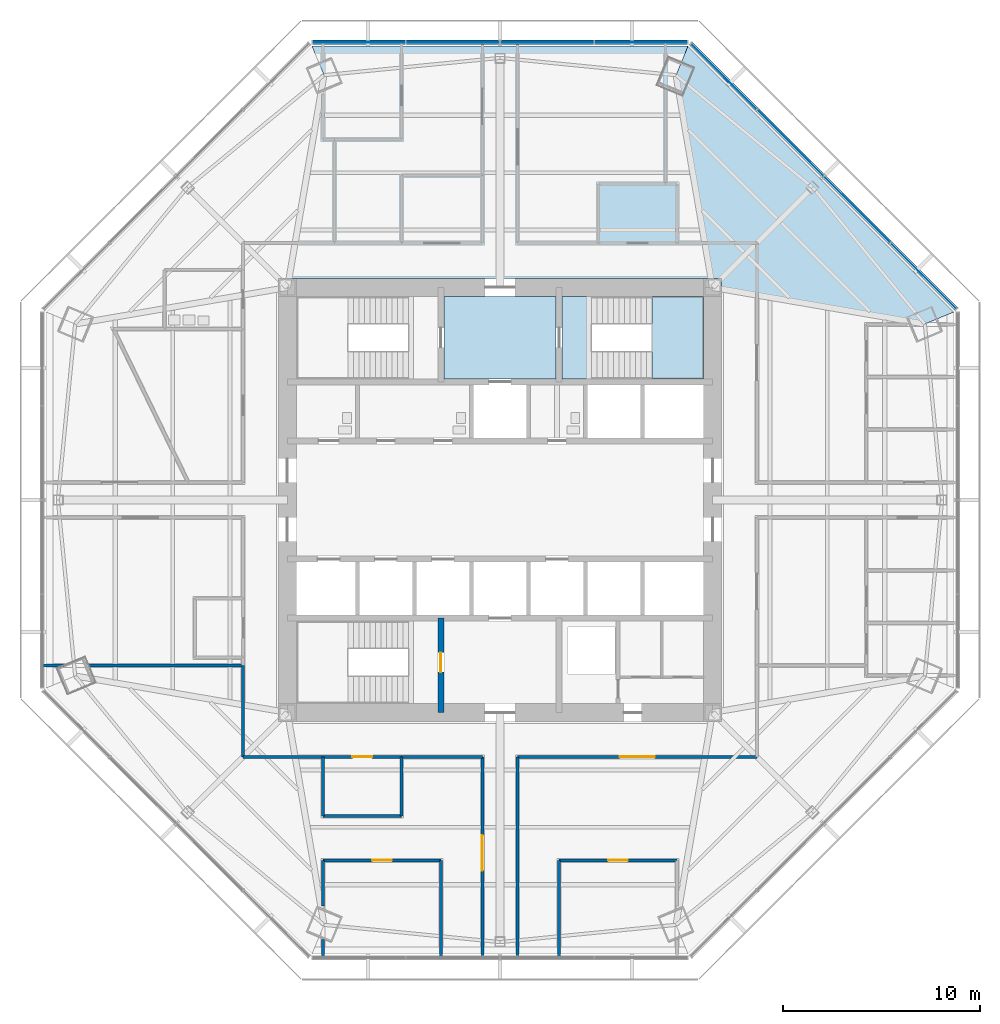
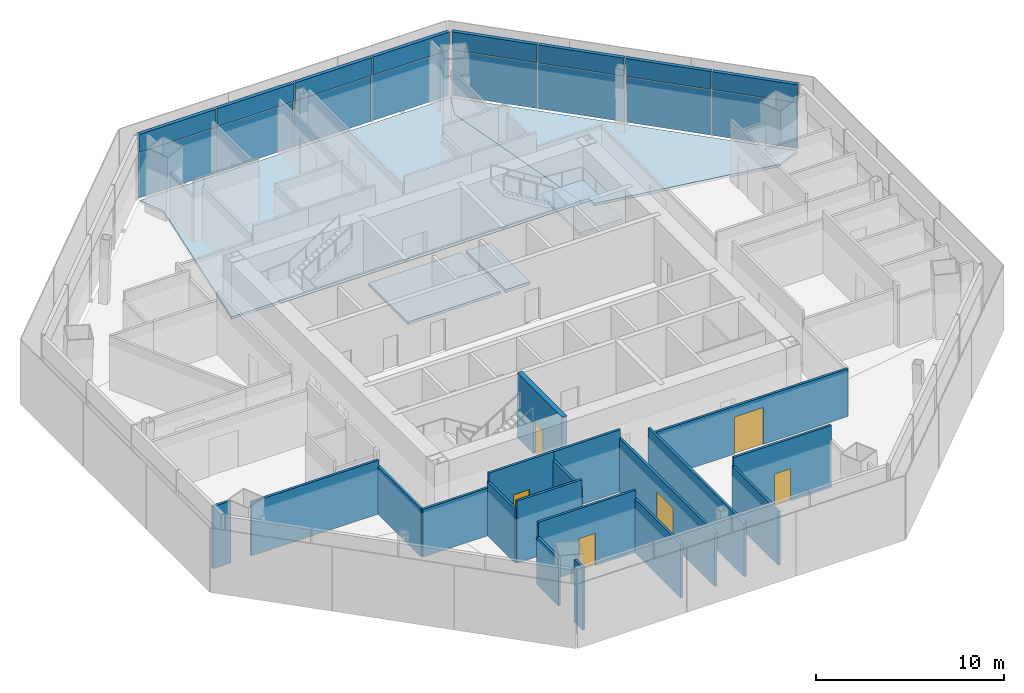
# One storey, part 8 of 15: 19 walls, 16 plates, 6 doors, 5 slabs, 6 openings, 3 elements without a shape of their own.
"""IFC4 building model written with IfcOpenShell, lengths in metres."""

from ifc_helpers import new_model, si_unit, direction, frame, frame_2d, origin, origin_2d, place, context, subcontext, project, spatial, polyline, rectangle, outline, extrude, source, transform, mapped, material, layer, layer_set, type_object, type_shapes, element, fill, aggregate, save


model = new_model("IFC4")

# Units and contexts
model_context = context("Model", 3, precision=1e-05, world=origin(), true_north=direction((0.0, 1.0)))
body_context = subcontext(model_context, "Body", "Model", "MODEL_VIEW")
ifc_project = project(units=[si_unit("LENGTHUNIT", "METRE"), si_unit("AREAUNIT", "SQUARE_METRE"), si_unit("VOLUMEUNIT", "CUBIC_METRE"), si_unit("PLANEANGLEUNIT", "RADIAN"), si_unit("MASSUNIT", "GRAM", prefix="KILO")], contexts=[model_context])

# Site, building, storey
site_placement = place(None, origin())
site = spatial("IfcSite", under=ifc_project, at=site_placement, CompositionType="ELEMENT")
building_placement = place(site_placement, origin())
building = spatial("IfcBuilding", under=site, at=building_placement, Name="Mashrafa Tower", CompositionType="ELEMENT")
storey_placement = place(building_placement, frame((0.0, 0.0, 168.0)))
storey = spatial("IfcBuildingStorey", under=building, at=storey_placement, Name="L38", CompositionType="ELEMENT", Elevation=168.0)

# Slabs
ifc_material_1 = material(Name="Concrete C35/45", Category="concrete")
ifc_layer_1 = layer(ifc_material_1, 0.1650390625)
ifc_layer_set_1 = layer_set([ifc_layer_1], Name="Floor slab 165")
slab_type_1 = type_object("IfcSlabType", Name="Floor slab 165", PredefinedType="FLOOR", material=ifc_layer_set_1)
slab_1_placement = place(storey_placement, frame((0.0, 0.0, -0.1650390625)))
element("IfcSlab", 1, at=slab_1_placement, inside=storey, type_object=slab_type_1, Name="Floor slab L38 north-east bay", PredefinedType="FLOOR", context=body_context, shape_type="SweptSolid", body=[
    extrude(outline(polyline([(9.552734375, 23.062255859375), (23.062255859375, 9.552734375), (23.062255859375, 9.552734375), (21.588623046875, 8.9423828125), (11.25, 10.722412109375), (11.25, 11.25), (10.722412109375, 11.25), (8.9423828125, 21.588623046875), (9.552734375, 23.062255859375), (9.552734375, 23.062255859375)])), origin(), (0.0, 0.0, 1.0), 0.1650390625),
])
slab_2_placement = place(storey_placement, frame((0.0, 0.0, -0.1650390625)))
element("IfcSlab", 2, at=slab_2_placement, inside=storey, type_object=slab_type_1, Name="Floor slab L38 north bay", PredefinedType="FLOOR", context=body_context, shape_type="SweptSolid", body=[
    extrude(outline(polyline([(9.552734375, 23.062255859375), (8.9423828125, 21.588623046875), (10.722412109375, 11.25), (-10.722412109375, 11.25), (-8.9423828125, 21.588623046875), (-9.552734375, 23.062255859375), (9.552734375, 23.062255859375)])), origin(), (0.0, 0.0, 1.0), 0.1650390625),
])
slab_3_placement = place(storey_placement, frame((0.0, 0.0, -0.1650390625)))
element("IfcSlab", 3, at=slab_3_placement, inside=storey, type_object=slab_type_1, Name="Core floor fire-fighting lobby north L38", PredefinedType="FLOOR", context=body_context, shape_type="SweptSolid", body=[
    extrude(outline(polyline([(-2.85009765625, 10.35009765625), (2.85009765625, 10.35009765625), (2.85009765625, 6.14990234375), (-2.85009765625, 6.14990234375), (-2.85009765625, 10.35009765625)])), origin(), (0.0, 0.0, 1.0), 0.1650390625),
])

# Stair, slabs
ifc_material_2 = material(Name="Exit stair 1400")
stair_type = type_object("IfcStairType", Name="Exit stair 1400", PredefinedType="HALF_TURN_STAIR", material=ifc_material_2)
stair_placement = place(storey_placement, origin())
stair = element("IfcStair", 4, at=stair_placement, inside=storey, type_object=stair_type, Name="Stair S2 L38", PredefinedType="HALF_TURN_STAIR")
ifc_material_3 = material(Name="Concrete C32/40", Category="concrete")
ifc_layer_2 = layer(ifc_material_3, 0.199951171875)
ifc_layer_set_2 = layer_set([ifc_layer_2], Name="Stair landing 200")
slab_type_2 = type_object("IfcSlabType", Name="Stair landing 200", PredefinedType="LANDING", material=ifc_layer_set_2)
slab_4_placement = place(storey_placement, frame((0.0, 0.0, -0.199951171875)))
slab_4 = element("IfcSlab", 5, at=slab_4_placement, type_object=slab_type_2, Name="S2 landing 1", PredefinedType="LANDING", context=body_context, shape_type="SweptSolid", body=[
    extrude(outline(polyline([(3.14990234375, 6.14990234375), (4.659912109375, 6.14990234375), (4.659912109375, 10.35009765625), (3.14990234375, 10.35009765625), (3.14990234375, 6.14990234375)])), origin(), (0.0, 0.0, 1.0), 0.199951171875),
])
slab_5_placement = place(storey_placement, frame((0.0, 0.0, 1.89990234375)))
slab_5 = element("IfcSlab", 6, at=slab_5_placement, type_object=slab_type_2, Name="S2 landing 2", PredefinedType="LANDING", context=body_context, shape_type="SweptSolid", body=[
    extrude(outline(polyline([(7.719970703125, 6.14990234375), (10.35009765625, 6.14990234375), (10.35009765625, 10.35009765625), (7.719970703125, 10.35009765625), (7.719970703125, 6.14990234375)])), origin(), (0.0, 0.0, 1.0), 0.2001953125),
])
aggregate(stair, [slab_4, slab_5])

# Curtain wall, plates
ifc_material_4 = material(Name="Unitised aluminium curtain wall", Category="aluminium")
curtain_wall_type = type_object("IfcCurtainWallType", Name="Office curtain wall, zone 2 CW-B 225 deep", PredefinedType="NOTDEFINED", material=ifc_material_4)
curtain_wall_1_placement = place(storey_placement, origin())
curtain_wall_1 = element("IfcCurtainWall", 7, at=curtain_wall_1_placement, inside=storey, type_object=curtain_wall_type, Name="Office curtain wall, zone 2 L38 north-east", PredefinedType="NOTDEFINED")
ifc_material_5 = material(Name="Insulated double glazing, low-e, neutral", Category="glass")
ifc_layer_3 = layer(ifc_material_5, 0.028076171875)
ifc_layer_set_3 = layer_set([ifc_layer_3], Name="Vision panel CW-B 28")
plate_type_1 = type_object("IfcPlateType", Name="Vision panel CW-B 28", PredefinedType="CURTAIN_PANEL", material=ifc_layer_set_3)
shared_shape_1 = source(origin(), body_context, "Body", "SweptSolid", [
    extrude(rectangle(XDim=4.69189453125, YDim=0.028076171875, at=origin_2d()), origin(), (0.0, 0.0, 1.0), 2.9599609375),
])
plate_1_placement = place(storey_placement, frame((21.517333984375, 11.38037109375, 0.0), z_axis=(0.0, 0.0, 1.0), x_axis=(-0.707106781187, 0.707106781187, 0.0)))
plate_1 = element("IfcPlate", 8, at=plate_1_placement, type_object=plate_type_1, Name="CW-B vision panel 1", PredefinedType="CURTAIN_PANEL", context=body_context, shape_type="MappedRepresentation", body=[
    mapped(shared_shape_1, transform((0.0, 0.0, 0.0))),
])
plate_2_placement = place(storey_placement, frame((11.38037109375, 21.517333984375, 0.0), z_axis=(0.0, 0.0, 1.0), x_axis=(-0.707106781187, 0.707106781187, 0.0)))
plate_2 = element("IfcPlate", 9, at=plate_2_placement, type_object=plate_type_1, Name="CW-B vision panel 4", PredefinedType="CURTAIN_PANEL", context=body_context, shape_type="MappedRepresentation", body=[
    mapped(shared_shape_1, transform((0.0, 0.0, 0.0))),
])

curtain_wall_2_placement = place(storey_placement, origin())
curtain_wall_2 = element("IfcCurtainWall", 10, at=curtain_wall_2_placement, inside=storey, type_object=curtain_wall_type, Name="Office curtain wall, zone 2 L38 north", PredefinedType="NOTDEFINED")
plate_3_placement = place(storey_placement, frame((7.16796875, 23.26220703125, 0.0), z_axis=(0.0, 0.0, 1.0), x_axis=(-1.0, 0.0, 0.0)))
plate_3 = element("IfcPlate", 11, at=plate_3_placement, type_object=plate_type_1, Name="CW-B vision panel 1", PredefinedType="CURTAIN_PANEL", context=body_context, shape_type="MappedRepresentation", body=[
    mapped(shared_shape_1, transform((0.0, 0.0, 0.0))),
])
plate_4_placement = place(storey_placement, frame((-7.16796875, 23.26220703125, 0.0), z_axis=(0.0, 0.0, 1.0), x_axis=(-1.0, 0.0, 0.0)))
plate_4 = element("IfcPlate", 12, at=plate_4_placement, type_object=plate_type_1, Name="CW-B vision panel 4", PredefinedType="CURTAIN_PANEL", context=body_context, shape_type="MappedRepresentation", body=[
    mapped(shared_shape_1, transform((0.0, 0.0, 0.0))),
])

# Plate
ifc_material_6 = material(Name="Insulated aluminium spandrel panel", Category="aluminium")
ifc_layer_4 = layer(ifc_material_6, 0.219970703125)
ifc_layer_set_4 = layer_set([ifc_layer_4], Name="Spandrel panel CW-B 220")
plate_type_2 = type_object("IfcPlateType", Name="Spandrel panel CW-B 220", PredefinedType="CURTAIN_PANEL", material=ifc_layer_set_4)
shared_shape_2 = source(origin(), body_context, "Body", "SweptSolid", [
    extrude(rectangle(XDim=4.69189453125, YDim=0.219970703125, at=origin_2d()), origin(), (0.0, 0.0, 1.0), 1.159912109375),
])
plate_5_placement = place(storey_placement, frame((21.517333984375, 11.38037109375, 3.0400390625), z_axis=(0.0, 0.0, 1.0), x_axis=(-0.707106781187, 0.707106781187, 0.0)))
plate_5 = element("IfcPlate", 13, at=plate_5_placement, type_object=plate_type_2, Name="CW-B spandrel panel 1", PredefinedType="CURTAIN_PANEL", context=body_context, shape_type="MappedRepresentation", body=[
    mapped(shared_shape_2, transform((0.0, 0.0, 0.0))),
])

plate_6_placement = place(storey_placement, frame((11.38037109375, 21.517333984375, 3.0400390625), z_axis=(0.0, 0.0, 1.0), x_axis=(-0.707106781187, 0.707106781187, 0.0)))
plate_6 = element("IfcPlate", 14, at=plate_6_placement, type_object=plate_type_2, Name="CW-B spandrel panel 4", PredefinedType="CURTAIN_PANEL", context=body_context, shape_type="MappedRepresentation", body=[
    mapped(shared_shape_2, transform((0.0, 0.0, 0.0))),
])

plate_7_placement = place(storey_placement, frame((7.16796875, 23.26220703125, 3.0400390625), z_axis=(0.0, 0.0, 1.0), x_axis=(-1.0, 0.0, 0.0)))
plate_7 = element("IfcPlate", 15, at=plate_7_placement, type_object=plate_type_2, Name="CW-B spandrel panel 1", PredefinedType="CURTAIN_PANEL", context=body_context, shape_type="MappedRepresentation", body=[
    mapped(shared_shape_2, transform((0.0, 0.0, 0.0))),
])

plate_8_placement = place(storey_placement, frame((-7.16796875, 23.26220703125, 3.0400390625), z_axis=(0.0, 0.0, 1.0), x_axis=(-1.0, 0.0, 0.0)))
plate_8 = element("IfcPlate", 16, at=plate_8_placement, type_object=plate_type_2, Name="CW-B spandrel panel 4", PredefinedType="CURTAIN_PANEL", context=body_context, shape_type="MappedRepresentation", body=[
    mapped(shared_shape_2, transform((0.0, 0.0, 0.0))),
])

shared_shape_3 = source(origin(), body_context, "Body", "SweptSolid", [
    extrude(rectangle(XDim=4.724365234375, YDim=0.028076171875, at=origin_2d()), origin(), (0.0, 0.0, 1.0), 2.9599609375),
])
type_shapes(plate_type_1, [shared_shape_1, shared_shape_3])
plate_9_placement = place(storey_placement, frame((18.142333984375, 14.755615234375, 0.0), z_axis=(0.0, 0.0, 1.0), x_axis=(-0.707106781187, 0.707106781187, 0.0)))
plate_9 = element("IfcPlate", 17, at=plate_9_placement, type_object=plate_type_1, Name="CW-B vision panel 2", PredefinedType="CURTAIN_PANEL", context=body_context, shape_type="MappedRepresentation", body=[
    mapped(shared_shape_3, transform((0.0, 0.0, 0.0))),
])

plate_10_placement = place(storey_placement, frame((14.755615234375, 18.142333984375, 0.0), z_axis=(0.0, 0.0, 1.0), x_axis=(-0.707106781187, 0.707106781187, 0.0)))
plate_10 = element("IfcPlate", 18, at=plate_10_placement, type_object=plate_type_1, Name="CW-B vision panel 3", PredefinedType="CURTAIN_PANEL", context=body_context, shape_type="MappedRepresentation", body=[
    mapped(shared_shape_3, transform((0.0, 0.0, 0.0))),
])

plate_11_placement = place(storey_placement, frame((2.394775390625, 23.26220703125, 0.0), z_axis=(0.0, 0.0, 1.0), x_axis=(-1.0, 0.0, 0.0)))
plate_11 = element("IfcPlate", 19, at=plate_11_placement, type_object=plate_type_1, Name="CW-B vision panel 2", PredefinedType="CURTAIN_PANEL", context=body_context, shape_type="MappedRepresentation", body=[
    mapped(shared_shape_3, transform((0.0, 0.0, 0.0))),
])

plate_12_placement = place(storey_placement, frame((-2.394775390625, 23.26220703125, 0.0), z_axis=(0.0, 0.0, 1.0), x_axis=(-1.0, 0.0, 0.0)))
plate_12 = element("IfcPlate", 20, at=plate_12_placement, type_object=plate_type_1, Name="CW-B vision panel 3", PredefinedType="CURTAIN_PANEL", context=body_context, shape_type="MappedRepresentation", body=[
    mapped(shared_shape_3, transform((0.0, 0.0, 0.0))),
])

shared_shape_4 = source(origin(), body_context, "Body", "SweptSolid", [
    extrude(rectangle(XDim=4.724365234375, YDim=0.219970703125, at=origin_2d()), origin(), (0.0, 0.0, 1.0), 1.159912109375),
])
type_shapes(plate_type_2, [shared_shape_2, shared_shape_4])
plate_13_placement = place(storey_placement, frame((18.142333984375, 14.755615234375, 3.0400390625), z_axis=(0.0, 0.0, 1.0), x_axis=(-0.707106781187, 0.707106781187, 0.0)))
plate_13 = element("IfcPlate", 21, at=plate_13_placement, type_object=plate_type_2, Name="CW-B spandrel panel 2", PredefinedType="CURTAIN_PANEL", context=body_context, shape_type="MappedRepresentation", body=[
    mapped(shared_shape_4, transform((0.0, 0.0, 0.0))),
])

plate_14_placement = place(storey_placement, frame((14.755615234375, 18.142333984375, 3.0400390625), z_axis=(0.0, 0.0, 1.0), x_axis=(-0.707106781187, 0.707106781187, 0.0)))
plate_14 = element("IfcPlate", 22, at=plate_14_placement, type_object=plate_type_2, Name="CW-B spandrel panel 3", PredefinedType="CURTAIN_PANEL", context=body_context, shape_type="MappedRepresentation", body=[
    mapped(shared_shape_4, transform((0.0, 0.0, 0.0))),
])

aggregate(curtain_wall_1, [plate_1, plate_5, plate_9, plate_13, plate_10, plate_14, plate_2, plate_6])

plate_15_placement = place(storey_placement, frame((2.394775390625, 23.26220703125, 3.0400390625), z_axis=(0.0, 0.0, 1.0), x_axis=(-1.0, 0.0, 0.0)))
plate_15 = element("IfcPlate", 23, at=plate_15_placement, type_object=plate_type_2, Name="CW-B spandrel panel 2", PredefinedType="CURTAIN_PANEL", context=body_context, shape_type="MappedRepresentation", body=[
    mapped(shared_shape_4, transform((0.0, 0.0, 0.0))),
])

plate_16_placement = place(storey_placement, frame((-2.394775390625, 23.26220703125, 3.0400390625), z_axis=(0.0, 0.0, 1.0), x_axis=(-1.0, 0.0, 0.0)))
plate_16 = element("IfcPlate", 24, at=plate_16_placement, type_object=plate_type_2, Name="CW-B spandrel panel 3", PredefinedType="CURTAIN_PANEL", context=body_context, shape_type="MappedRepresentation", body=[
    mapped(shared_shape_4, transform((0.0, 0.0, 0.0))),
])

aggregate(curtain_wall_2, [plate_3, plate_7, plate_11, plate_15, plate_12, plate_16, plate_4, plate_8])

# Wall, opening, door
ifc_material_7 = material(Name="Concrete C60/75", Category="concrete")
ifc_layer_5 = layer(ifc_material_7, 0.300048828125)
ifc_layer_set_5 = layer_set([ifc_layer_5], Name="Core wall 300 C60/75")
wall_type_1 = type_object("IfcWallType", Name="Core wall 300 C60/75", PredefinedType="SOLIDWALL", material=ifc_layer_set_5)
wall_1_placement = place(storey_placement, frame((-3.0, -6.0, 0.0), z_axis=(0.0, 0.0, 1.0), x_axis=(0.0, -1.0, 0.0)))
wall_1 = element("IfcWall", 25, at=wall_1_placement, inside=storey, type_object=wall_type_1, Name="Core wall CX-SW L38", PredefinedType="SOLIDWALL", context=body_context, shape_type="SweptSolid", body=[
    extrude(rectangle(XDim=4.800048828125, YDim=0.300048828125, at=frame_2d((2.39990234375, 0.0))), origin(), (0.0, 0.0, 1.0), 4.199951171875),
])
opening_1_placement = place(wall_1_placement, frame((1.75, 0.0, 0.0)))
opening_1 = element("IfcOpeningElement", 26, at=opening_1_placement, cuts=wall_1, Name="Opening 38.032", PredefinedType="OPENING", context=body_context, shape_type="SweptSolid", body=[
    extrude(rectangle(XDim=1.0, YDim=2.10009765625, at=frame_2d((0.5, 1.050048828125))), frame((0.0, 0.159912109375, 0.0), z_axis=(0.0, -1.0, 0.0), x_axis=(1.0, 0.0, 0.0)), (0.0, 0.0, 1.0), 0.320068359375),
])
ifc_material_8 = material(Name="Steel door", Category="steel")
door_type_1 = type_object("IfcDoorType", Name="Stair door 1000 x 2100 90 min", OperationType="USERDEFINED", PredefinedType="DOOR", material=ifc_material_8)
door_1_placement = place(opening_1_placement, frame((1.0, 0.0, 0.0), z_axis=(0.0, 0.0, 1.0), x_axis=(-1.0, 0.0, 0.0)))
door_1 = element("IfcDoor", 27, at=door_1_placement, inside=storey, type_object=door_type_1, Name="Stair S3 door L38", OperationType="SINGLE_SWING_RIGHT", OverallHeight=2.10009765625, OverallWidth=1.0, PredefinedType="DOOR", context=body_context, shape_type="SweptSolid", body=[
    extrude(rectangle(XDim=1.0, YDim=2.10009765625, at=frame_2d((0.5, 1.050048828125))), frame((0.0, 0.02490234375, 0.0), z_axis=(0.0, -1.0, 0.0), x_axis=(1.0, 0.0, 0.0)), (0.0, 0.0, 1.0), 0.050048828125),
])
fill(opening_1, door_1)

ifc_material_9 = material(Name="Gypsum board on steel studs", Category="steel")
ifc_layer_6 = layer(ifc_material_9, 0.14990234375)
ifc_layer_set_6 = layer_set([ifc_layer_6], Name="Corridor partition 150 1 hr")
wall_type_2 = type_object("IfcWallType", Name="Corridor partition 150 1 hr", PredefinedType="PARTITIONING", material=ifc_layer_set_6)
wall_2_placement = place(storey_placement, frame((-9.0009765625, -13.050048828125, 0.0), z_axis=(0.0, 0.0, 1.0), x_axis=(1.0, 0.0, 0.0)))
wall_2 = element("IfcWall", 28, at=wall_2_placement, inside=storey, type_object=wall_type_2, Name="Corridor wall L38-007", PredefinedType="PARTITIONING", context=body_context, shape_type="SweptSolid", body=[
    extrude(rectangle(XDim=4.001953125, YDim=0.14990234375, at=frame_2d((2.0009765625, 0.0))), origin(), (0.0, 0.0, 1.0), 4.034912109375),
])
opening_2_placement = place(wall_2_placement, frame((1.5009765625, 0.0, 0.0)))
opening_2 = element("IfcOpeningElement", 29, at=opening_2_placement, cuts=wall_2, Name="Opening 38.006", PredefinedType="OPENING", context=body_context, shape_type="SweptSolid", body=[
    extrude(rectangle(XDim=1.0, YDim=2.10009765625, at=frame_2d((0.5, 1.050048828125))), frame((0.0, 0.0849609375, 0.0), z_axis=(0.0, -1.0, 0.0), x_axis=(1.0, 0.0, 0.0)), (0.0, 0.0, 1.0), 0.169921875),
])
ifc_material_10 = material(Name="Timber door", Category="wood")
door_type_2 = type_object("IfcDoorType", Name="Door 1000 x 2100", OperationType="USERDEFINED", PredefinedType="DOOR", material=ifc_material_10)
door_2_placement = place(opening_2_placement, frame((1.0, 0.0, 0.0), z_axis=(0.0, 0.0, 1.0), x_axis=(-1.0, 0.0, 0.0)))
door_2 = element("IfcDoor", 30, at=door_2_placement, inside=storey, type_object=door_type_2, Name="Pantry 38-2 door", OperationType="SINGLE_SWING_RIGHT", OverallHeight=2.10009765625, OverallWidth=1.0, PredefinedType="DOOR", context=body_context, shape_type="SweptSolid", body=[
    extrude(rectangle(XDim=1.0, YDim=2.10009765625, at=frame_2d((0.5, 1.050048828125))), frame((0.0, 0.02490234375, 0.0), z_axis=(0.0, -1.0, 0.0), x_axis=(1.0, 0.0, 0.0)), (0.0, 0.0, 1.0), 0.050048828125),
])
fill(opening_2, door_2)

# Walls
wall_3_placement = place(storey_placement, frame((-13.050048828125, -8.39892578125, 0.0), z_axis=(0.0, 0.0, 1.0), x_axis=(0.0, -1.0, 0.0)))
element("IfcWall", 31, at=wall_3_placement, inside=storey, type_object=wall_type_2, Name="Corridor wall L38-021", PredefinedType="PARTITIONING", context=body_context, shape_type="SweptSolid", body=[
    extrude(rectangle(XDim=4.651123046875, YDim=0.14990234375, at=frame_2d((2.32568359375, 0.0))), origin(), (0.0, 0.0, 1.0), 3.097900390625),
])
wall_4_placement = place(storey_placement, frame((-13.050048828125, -13.050048828125, 0.0), z_axis=(0.0, 0.0, 1.0), x_axis=(1.0, 0.0, 0.0)))
element("IfcWall", 32, at=wall_4_placement, inside=storey, type_object=wall_type_2, Name="Corridor wall L38-022", PredefinedType="PARTITIONING", context=body_context, shape_type="SweptSolid", body=[
    extrude(rectangle(XDim=4.051025390625, YDim=0.14990234375, at=frame_2d((2.025390625, 0.0))), origin(), (0.0, 0.0, 1.0), 3.097900390625),
])
wall_5_placement = place(storey_placement, frame((-5.0009765625, -13.050048828125, 0.0), z_axis=(0.0, 0.0, 1.0), x_axis=(1.0, 0.0, 0.0)))
element("IfcWall", 33, at=wall_5_placement, inside=storey, type_object=wall_type_2, Name="Corridor wall L38-023", PredefinedType="PARTITIONING", context=body_context, shape_type="SweptSolid", body=[
    extrude(rectangle(XDim=4.10107421875, YDim=0.14990234375, at=frame_2d((2.050537109375, 0.0))), origin(), (0.0, 0.0, 1.0), 4.034912109375),
])

# Wall, opening, door
wall_6_placement = place(storey_placement, frame((-0.89990234375, -13.050048828125, 0.0), z_axis=(0.0, 0.0, 1.0), x_axis=(0.0, -1.0, 0.0)))
wall_6 = element("IfcWall", 34, at=wall_6_placement, inside=storey, type_object=wall_type_2, Name="Corridor wall L38-024", PredefinedType="PARTITIONING", context=body_context, shape_type="SweptSolid", body=[
    extrude(rectangle(XDim=10.196044921875, YDim=0.14990234375, at=frame_2d((5.09814453125, 0.0))), origin(), (0.0, 0.0, 1.0), 3.49169921875),
])
opening_3_placement = place(wall_6_placement, frame((3.981201171875, 0.0, 0.0)))
opening_3 = element("IfcOpeningElement", 35, at=opening_3_placement, cuts=wall_6, Name="Opening 38.020", PredefinedType="OPENING", context=body_context, shape_type="SweptSolid", body=[
    extrude(rectangle(XDim=1.800048828125, YDim=2.39990234375, at=frame_2d((0.89990234375, 1.199951171875))), frame((0.0, 0.0849609375, 0.0), z_axis=(0.0, -1.0, 0.0), x_axis=(1.0, 0.0, 0.0)), (0.0, 0.0, 1.0), 0.169921875),
])
ifc_material_11 = material(Name="Timber door", Category="wood")
door_type_3 = type_object("IfcDoorType", Name="Door pair 1800 x 2400", OperationType="DOUBLE_DOOR_SINGLE_SWING", PredefinedType="DOOR", material=ifc_material_11)
door_3_placement = place(opening_3_placement, frame((1.800048828125, 0.0, 0.0), z_axis=(0.0, 0.0, 1.0), x_axis=(-1.0, 0.0, 0.0)))
door_3 = element("IfcDoor", 36, at=door_3_placement, inside=storey, type_object=door_type_3, Name="Office Tenancy 38-2-SW1 door", OperationType="DOUBLE_DOOR_SINGLE_SWING", OverallHeight=2.39990234375, OverallWidth=1.800048828125, PredefinedType="DOOR", context=body_context, shape_type="SweptSolid", body=[
    extrude(rectangle(XDim=1.800048828125, YDim=2.39990234375, at=frame_2d((0.89990234375, 1.199951171875))), frame((0.0, 0.02490234375, 0.0), z_axis=(0.0, -1.0, 0.0), x_axis=(1.0, 0.0, 0.0)), (0.0, 0.0, 1.0), 0.050048828125),
])
fill(opening_3, door_3)

# Wall
wall_7_placement = place(storey_placement, frame((0.89990234375, -23.244140625, 0.0), z_axis=(0.0, 0.0, 1.0), x_axis=(0.0, 1.0, 0.0)))
element("IfcWall", 37, at=wall_7_placement, inside=storey, type_object=wall_type_2, Name="Corridor wall L38-028", PredefinedType="PARTITIONING", context=body_context, shape_type="SweptSolid", body=[
    extrude(rectangle(XDim=10.194091796875, YDim=0.14990234375, at=frame_2d((5.09716796875, 0.0))), origin(), (0.0, 0.0, 1.0), 3.49169921875),
])

# Wall, opening, door
wall_8_placement = place(storey_placement, frame((0.89990234375, -13.050048828125, 0.0), z_axis=(0.0, 0.0, 1.0), x_axis=(1.0, 0.0, 0.0)))
wall_8 = element("IfcWall", 38, at=wall_8_placement, inside=storey, type_object=wall_type_2, Name="Corridor wall L38-029", PredefinedType="PARTITIONING", context=body_context, shape_type="SweptSolid", body=[
    extrude(rectangle(XDim=12.150146484375, YDim=0.14990234375, at=frame_2d((6.0751953125, 0.0))), origin(), (0.0, 0.0, 1.0), 3.097900390625),
])
opening_4_placement = place(wall_8_placement, frame((5.175048828125, 0.0, 0.0)))
opening_4 = element("IfcOpeningElement", 39, at=opening_4_placement, cuts=wall_8, Name="Opening 38.022", PredefinedType="OPENING", context=body_context, shape_type="SweptSolid", body=[
    extrude(rectangle(XDim=1.800048828125, YDim=2.39990234375, at=frame_2d((0.89990234375, 1.199951171875))), frame((0.0, 0.0849609375, 0.0), z_axis=(0.0, -1.0, 0.0), x_axis=(1.0, 0.0, 0.0)), (0.0, 0.0, 1.0), 0.169921875),
])
door_4_placement = place(opening_4_placement, frame((1.800048828125, 0.0, 0.0), z_axis=(0.0, 0.0, 1.0), x_axis=(-1.0, 0.0, 0.0)))
door_4 = element("IfcDoor", 40, at=door_4_placement, inside=storey, type_object=door_type_3, Name="Office Tenancy 38-1-SE1 door", OperationType="DOUBLE_DOOR_SINGLE_SWING", OverallHeight=2.39990234375, OverallWidth=1.800048828125, PredefinedType="DOOR", context=body_context, shape_type="SweptSolid", body=[
    extrude(rectangle(XDim=1.800048828125, YDim=2.39990234375, at=frame_2d((0.89990234375, 1.199951171875))), frame((0.0, 0.02490234375, 0.0), z_axis=(0.0, -1.0, 0.0), x_axis=(1.0, 0.0, 0.0)), (0.0, 0.0, 1.0), 0.050048828125),
])
fill(opening_4, door_4)

# Walls
ifc_material_12 = material(Name="Gypsum board on steel studs", Category="steel")
ifc_layer_7 = layer(ifc_material_12, 0.14990234375)
ifc_layer_set_7 = layer_set([ifc_layer_7], Name="Partition 150")
wall_type_3 = type_object("IfcWallType", Name="Partition 150", PredefinedType="PARTITIONING", material=ifc_layer_set_7)
wall_9_placement = place(storey_placement, frame((-9.0, -13.050048828125, 0.0), z_axis=(0.0, 0.0, 1.0), x_axis=(0.0, -1.0, 0.0)))
element("IfcWall", 41, at=wall_9_placement, inside=storey, type_object=wall_type_3, Name="Partition wall L38-049", PredefinedType="PARTITIONING", context=body_context, shape_type="SweptSolid", body=[
    extrude(rectangle(XDim=3.0, YDim=0.14990234375, at=frame_2d((1.5, 0.0))), origin(), (0.0, 0.0, 1.0), 3.49169921875),
])
wall_10_placement = place(storey_placement, frame((-9.0, -16.050048828125, 0.0), z_axis=(0.0, 0.0, 1.0), x_axis=(1.0, 0.0, 0.0)))
element("IfcWall", 42, at=wall_10_placement, inside=storey, type_object=wall_type_3, Name="Partition wall L38-050", PredefinedType="PARTITIONING", context=body_context, shape_type="SweptSolid", body=[
    extrude(rectangle(XDim=4.0, YDim=0.14990234375, at=frame_2d((2.0, 0.0))), origin(), (0.0, 0.0, 1.0), 4.034912109375),
])
wall_11_placement = place(storey_placement, frame((-5.0, -16.050048828125, 0.0), z_axis=(0.0, 0.0, 1.0), x_axis=(0.0, 1.0, 0.0)))
element("IfcWall", 43, at=wall_11_placement, inside=storey, type_object=wall_type_3, Name="Partition wall L38-051", PredefinedType="PARTITIONING", context=body_context, shape_type="SweptSolid", body=[
    extrude(rectangle(XDim=3.0, YDim=0.14990234375, at=frame_2d((1.5, 0.0))), origin(), (0.0, 0.0, 1.0), 3.49169921875),
])
wall_12_placement = place(storey_placement, frame((-3.0, -23.244140625, 0.0), z_axis=(0.0, 0.0, 1.0), x_axis=(0.0, 1.0, 0.0)))
element("IfcWall", 44, at=wall_12_placement, inside=storey, type_object=wall_type_3, Name="Partition wall L38-070", PredefinedType="PARTITIONING", context=body_context, shape_type="SweptSolid", body=[
    extrude(rectangle(XDim=4.931884765625, YDim=0.14990234375, at=frame_2d((2.4658203125, 0.0))), origin(), (0.0, 0.0, 1.0), 3.49169921875),
])

# Wall, opening, door
wall_13_placement = place(storey_placement, frame((-3.0, -18.312255859375, 0.0), z_axis=(0.0, 0.0, 1.0), x_axis=(-1.0, 0.0, 0.0)))
wall_13 = element("IfcWall", 45, at=wall_13_placement, inside=storey, type_object=wall_type_3, Name="Partition wall L38-071", PredefinedType="PARTITIONING", context=body_context, shape_type="SweptSolid", body=[
    extrude(rectangle(XDim=6.0, YDim=0.14990234375, at=frame_2d((3.0, 0.0))), origin(), (0.0, 0.0, 1.0), 4.034912109375),
])
opening_5_placement = place(wall_13_placement, frame((2.5, 0.0, 0.0)))
opening_5 = element("IfcOpeningElement", 46, at=opening_5_placement, cuts=wall_13, Name="Opening 38.014", PredefinedType="OPENING", context=body_context, shape_type="SweptSolid", body=[
    extrude(rectangle(XDim=1.0, YDim=2.10009765625, at=frame_2d((0.5, 1.050048828125))), frame((0.0, 0.0849609375, 0.0), z_axis=(0.0, -1.0, 0.0), x_axis=(1.0, 0.0, 0.0)), (0.0, 0.0, 1.0), 0.169921875),
])
door_5_placement = place(opening_5_placement, origin())
door_5 = element("IfcDoor", 47, at=door_5_placement, inside=storey, type_object=door_type_2, Name="Meeting Room 38-2-SW1 door", OperationType="SINGLE_SWING_LEFT", OverallHeight=2.10009765625, OverallWidth=1.0, PredefinedType="DOOR", context=body_context, shape_type="SweptSolid", body=[
    extrude(rectangle(XDim=1.0, YDim=2.10009765625, at=frame_2d((0.5, 1.050048828125))), frame((0.0, 0.02490234375, 0.0), z_axis=(0.0, -1.0, 0.0), x_axis=(1.0, 0.0, 0.0)), (0.0, 0.0, 1.0), 0.050048828125),
])
fill(opening_5, door_5)

# Walls
wall_14_placement = place(storey_placement, frame((-9.0, -18.312255859375, 0.0), z_axis=(0.0, 0.0, 1.0), x_axis=(0.0, -1.0, 0.0)))
element("IfcWall", 48, at=wall_14_placement, inside=storey, type_object=wall_type_3, Name="Partition wall L38-072", PredefinedType="PARTITIONING", context=body_context, shape_type="SweptSolid", body=[
    extrude(rectangle(XDim=2.329345703125, YDim=0.14990234375, at=frame_2d((1.16455078125, 0.0))), origin(), (0.0, 0.0, 1.0), 3.097900390625),
])
wall_15_placement = place(storey_placement, frame((-9.0, -22.337890625, 0.0), z_axis=(0.0, 0.0, 1.0), x_axis=(0.0, -1.0, 0.0)))
element("IfcWall", 49, at=wall_15_placement, inside=storey, type_object=wall_type_3, Name="Partition wall L38-073", PredefinedType="PARTITIONING", context=body_context, shape_type="SweptSolid", body=[
    extrude(rectangle(XDim=0.90625, YDim=0.14990234375, at=frame_2d((0.453125, 0.0))), origin(), (0.0, 0.0, 1.0), 4.034912109375),
])

# Wall, opening, door
wall_16_placement = place(storey_placement, frame((9.0, -18.312255859375, 0.0), z_axis=(0.0, 0.0, 1.0), x_axis=(-1.0, 0.0, 0.0)))
wall_16 = element("IfcWall", 50, at=wall_16_placement, inside=storey, type_object=wall_type_3, Name="Partition wall L38-076", PredefinedType="PARTITIONING", context=body_context, shape_type="SweptSolid", body=[
    extrude(rectangle(XDim=6.0, YDim=0.14990234375, at=frame_2d((3.0, 0.0))), origin(), (0.0, 0.0, 1.0), 4.034912109375),
])
opening_6_placement = place(wall_16_placement, frame((2.5, 0.0, 0.0)))
opening_6 = element("IfcOpeningElement", 51, at=opening_6_placement, cuts=wall_16, Name="Opening 38.015", PredefinedType="OPENING", context=body_context, shape_type="SweptSolid", body=[
    extrude(rectangle(XDim=1.0, YDim=2.10009765625, at=frame_2d((0.5, 1.050048828125))), frame((0.0, 0.0849609375, 0.0), z_axis=(0.0, -1.0, 0.0), x_axis=(1.0, 0.0, 0.0)), (0.0, 0.0, 1.0), 0.169921875),
])
door_6_placement = place(opening_6_placement, origin())
door_6 = element("IfcDoor", 52, at=door_6_placement, inside=storey, type_object=door_type_2, Name="Meeting Room 38-1-SE1 door", OperationType="SINGLE_SWING_LEFT", OverallHeight=2.10009765625, OverallWidth=1.0, PredefinedType="DOOR", context=body_context, shape_type="SweptSolid", body=[
    extrude(rectangle(XDim=1.0, YDim=2.10009765625, at=frame_2d((0.5, 1.050048828125))), frame((0.0, 0.02490234375, 0.0), z_axis=(0.0, -1.0, 0.0), x_axis=(1.0, 0.0, 0.0)), (0.0, 0.0, 1.0), 0.050048828125),
])
fill(opening_6, door_6)

# Walls
wall_17_placement = place(storey_placement, frame((3.0, -18.312255859375, 0.0), z_axis=(0.0, 0.0, 1.0), x_axis=(0.0, -1.0, 0.0)))
element("IfcWall", 53, at=wall_17_placement, inside=storey, type_object=wall_type_3, Name="Partition wall L38-077", PredefinedType="PARTITIONING", context=body_context, shape_type="SweptSolid", body=[
    extrude(rectangle(XDim=4.931884765625, YDim=0.14990234375, at=frame_2d((2.4658203125, 0.0))), origin(), (0.0, 0.0, 1.0), 3.49169921875),
])
wall_18_placement = place(storey_placement, frame((-13.050048828125, -8.39990234375, 0.0), z_axis=(0.0, 0.0, 1.0), x_axis=(-1.0, 0.0, 0.0)))
element("IfcWall", 54, at=wall_18_placement, inside=storey, type_object=wall_type_3, Name="Partition wall L38-081", PredefinedType="PARTITIONING", context=body_context, shape_type="SweptSolid", body=[
    extrude(rectangle(XDim=7.840087890625, YDim=0.14990234375, at=frame_2d((3.919921875, 0.0))), origin(), (0.0, 0.0, 1.0), 3.49169921875),
])
wall_19_placement = place(storey_placement, frame((-22.158203125, -8.39990234375, 0.0), z_axis=(0.0, 0.0, 1.0), x_axis=(-1.0, 0.0, 0.0)))
element("IfcWall", 55, at=wall_19_placement, inside=storey, type_object=wall_type_3, Name="Partition wall L38-082", PredefinedType="PARTITIONING", context=body_context, shape_type="SweptSolid", body=[
    extrude(rectangle(XDim=1.0859375, YDim=0.14990234375, at=frame_2d((0.54296875, 0.0))), origin(), (0.0, 0.0, 1.0), 4.034912109375),
])

save(model, "model.ifc")
